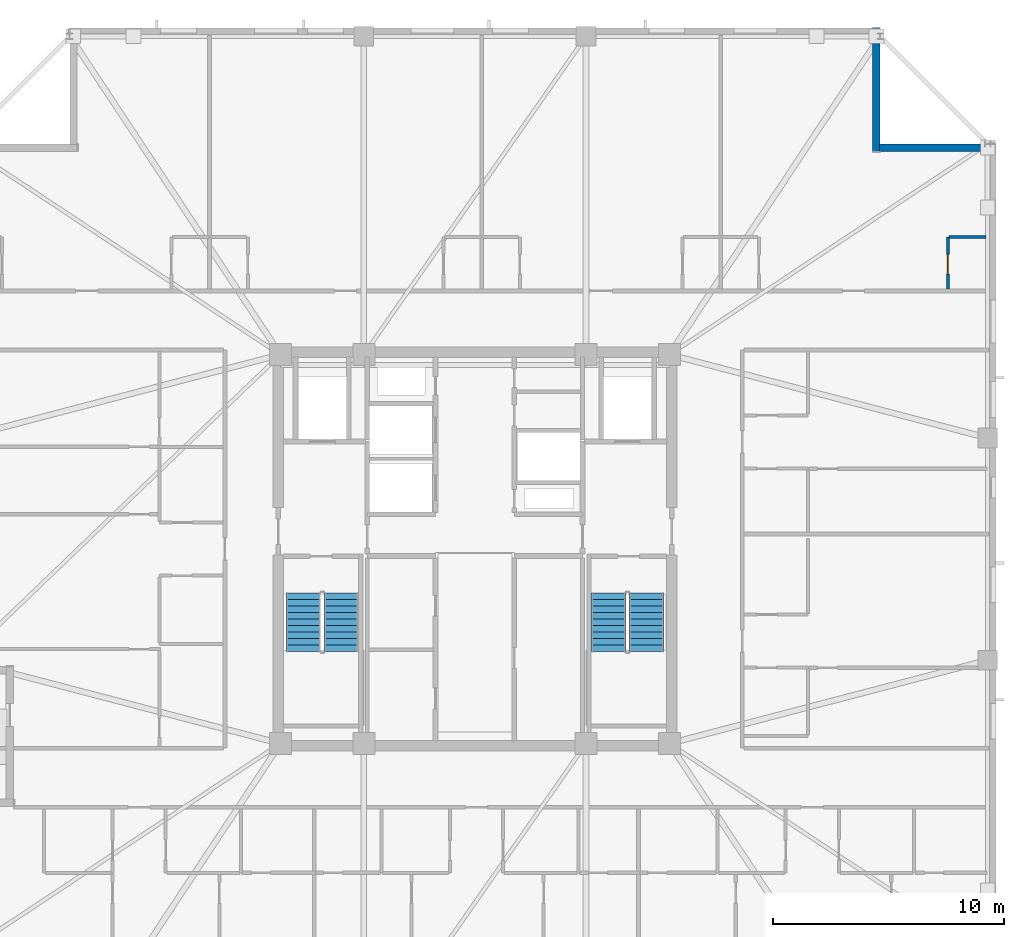
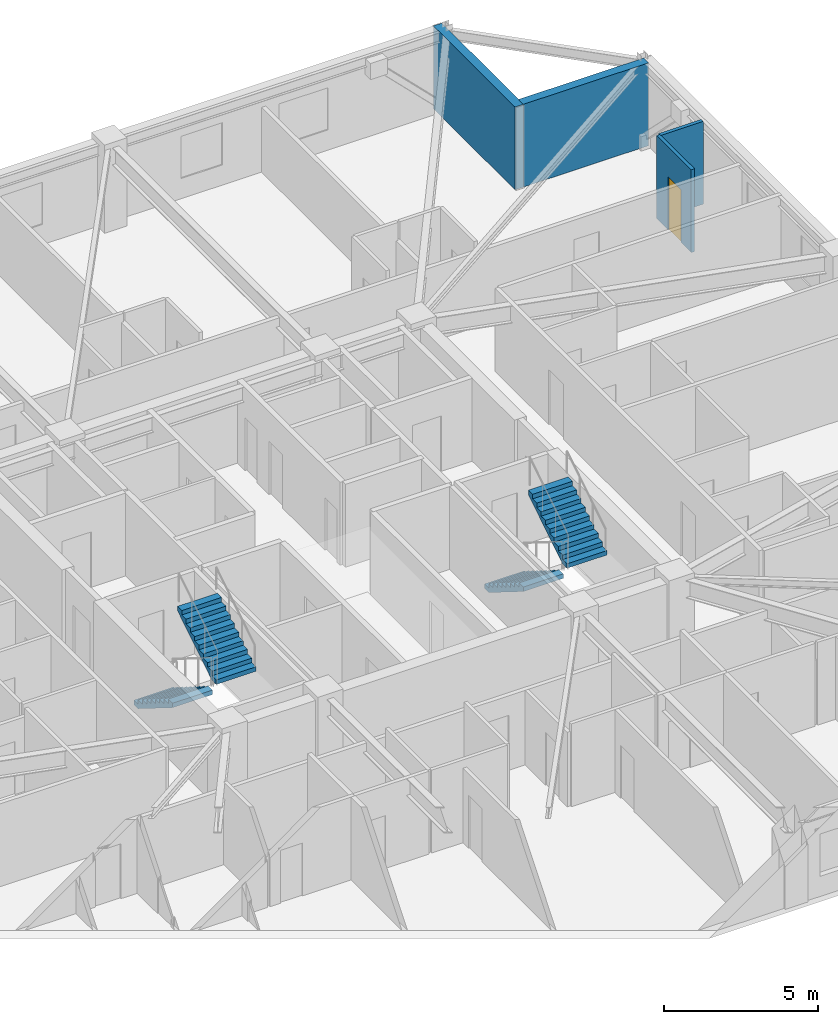
# One storey, part 12 of 16: 4 stair flights, 4 walls, 1 door, 1 opening, 2 elements without a shape of their own.
"""IFC4 building model written with IfcOpenShell, lengths in metres."""

from ifc_helpers import new_model, si_unit, direction, frame, frame_2d, origin, place, context, subcontext, project, spatial, polyline, rectangle, outline, extrude, material, layer, layer_set, type_object, element, fill, aggregate, save


model = new_model("IFC4")

# Units and contexts
model_context = context("Model", 3, precision=1e-05, world=origin(), true_north=direction((0.0, 1.0)))
body_context = subcontext(model_context, "Body", "Model", "MODEL_VIEW")
ifc_project = project(units=[si_unit("LENGTHUNIT", "METRE"), si_unit("AREAUNIT", "SQUARE_METRE"), si_unit("VOLUMEUNIT", "CUBIC_METRE"), si_unit("PLANEANGLEUNIT", "RADIAN"), si_unit("MASSUNIT", "GRAM", prefix="KILO")], contexts=[model_context])

# Site, building, storey
site_placement = place(None, origin())
site = spatial("IfcSite", under=ifc_project, at=site_placement, CompositionType="ELEMENT")
building_placement = place(site_placement, origin())
building = spatial("IfcBuilding", under=site, at=building_placement, Name="Cairnveth Concourse Tower", CompositionType="ELEMENT")
storey_placement = place(building_placement, frame((0.0, 0.0, 255.0)))
storey = spatial("IfcBuildingStorey", under=building, at=storey_placement, Name="L70", CompositionType="ELEMENT", Elevation=255.0)

# Wall, opening, door
ifc_material_1 = material(Name="Gypsum Plasterboard Partition", Category="gypsum")
ifc_layer_1 = layer(ifc_material_1, 0.1298828125)
ifc_layer_set_1 = layer_set([ifc_layer_1], Name="Gypsum Plasterboard Partition")
wall_type_1 = type_object("IfcWallType", Name="WET AREA PARTITION 140", PredefinedType="PLUMBINGWALL", material=ifc_layer_set_1)
wall_1_placement = place(storey_placement, frame((72.429931640625, 50.232421875, 0.0), z_axis=(0.0, 0.0, 1.0), x_axis=(0.0, 1.0, 0.0)))
wall_1 = element("IfcWall", 1, at=wall_1_placement, inside=storey, type_object=wall_type_1, Name="Interior Wall IW-L70-091", PredefinedType="PLUMBINGWALL", context=body_context, shape_type="SweptSolid", body=[
    extrude(rectangle(XDim=2.25, YDim=0.1298828125, at=frame_2d((1.125, 0.0))), origin(), (0.0, 0.0, 1.0), 3.2900390625),
])
opening_placement = place(wall_1_placement, frame((0.64990234375, 0.0, 0.0)))
opening = element("IfcOpeningElement", 2, at=opening_placement, cuts=wall_1, Name="Opening ID20", PredefinedType="OPENING", context=body_context, shape_type="SweptSolid", body=[
    extrude(rectangle(XDim=0.85009765625, YDim=2.10009765625, at=frame_2d((0.425048828125, 1.050048828125))), frame((0.0, 0.074951171875, 0.0), z_axis=(0.0, -1.0, 0.0), x_axis=(1.0, 0.0, 0.0)), (0.0, 0.0, 1.0), 0.14990234375),
])
ifc_material_2 = material(Name="Solid Core Hardwood Timber Leaf", Category="wood")
door_type = type_object("IfcDoorType", Name="INTERIOR SINGLE DOOR 850X2100", OperationType="NOTDEFINED", PredefinedType="DOOR", material=ifc_material_2)
door_placement = place(opening_placement, origin())
door = element("IfcDoor", 3, at=door_placement, inside=storey, type_object=door_type, Name="L70STN4 Kitchen Door", OperationType="SINGLE_SWING_RIGHT", OverallHeight=2.10009765625, OverallWidth=0.85009765625, PredefinedType="DOOR", context=body_context, shape_type="SweptSolid", body=[
    extrude(rectangle(XDim=0.85009765625, YDim=2.10009765625, at=frame_2d((0.425048828125, 1.050048828125))), frame((0.0, 0.02490234375, 0.0), z_axis=(0.0, -1.0, 0.0), x_axis=(1.0, 0.0, 0.0)), (0.0, 0.0, 1.0), 0.050048828125),
])
fill(opening, door)

# Walls
wall_2_placement = place(storey_placement, frame((72.47998046875, 52.482421875, 0.0), z_axis=(0.0, 0.0, 1.0), x_axis=(1.0, 0.0, 0.0)))
element("IfcWall", 4, at=wall_2_placement, inside=storey, type_object=wall_type_1, Name="Interior Wall IW-L70-092", PredefinedType="PLUMBINGWALL", context=body_context, shape_type="SweptSolid", body=[
    extrude(rectangle(XDim=1.60009765625, YDim=0.1298828125, at=frame_2d((0.800048828125, 0.0))), origin(), (0.0, 0.0, 1.0), 3.2900390625),
])
ifc_material_3 = material(Name="Melbourne Buff Fired Clay Brick Masonry", Category="masonry")
ifc_layer_2 = layer(ifc_material_3, 0.320068359375)
ifc_layer_set_2 = layer_set([ifc_layer_2], Name="Melbourne Buff Fired Clay Brick Masonry")
wall_type_2 = type_object("IfcWallType", Name="ZONE 3 BRICK PIER SPANDREL WALL 320", PredefinedType="SOLIDWALL", material=ifc_layer_set_2)
wall_3_placement = place(storey_placement, frame((69.340087890625, 61.5, 0.0), z_axis=(0.0, 0.0, 1.0), x_axis=(0.0, -1.0, 0.0)))
element("IfcWall", 5, at=wall_3_placement, inside=storey, type_object=wall_type_2, Name="Exterior Wall EW-L70-S04", PredefinedType="SOLIDWALL", context=body_context, shape_type="SweptSolid", body=[
    extrude(rectangle(XDim=5.320068359375, YDim=0.320068359375, at=frame_2d((2.66015625, 0.0))), origin(), (0.0, 0.0, 1.0), 3.2900390625),
])
wall_4_placement = place(storey_placement, frame((69.47802734375, 56.340087890625, 0.0), z_axis=(0.0, 0.0, 1.0), x_axis=(1.0, 0.0, 0.0)))
element("IfcWall", 6, at=wall_4_placement, inside=storey, type_object=wall_type_2, Name="Exterior Wall EW-L70-S05", PredefinedType="SOLIDWALL", context=body_context, shape_type="SweptSolid", body=[
    extrude(rectangle(XDim=4.723876953125, YDim=0.320068359375, at=frame_2d((2.36181640625, 0.0))), origin(), (0.0, 0.0, 1.0), 3.2900390625),
])

# Stair, stair flights
ifc_material_4 = material(Name="Precast concrete N50 (50 MPa)", Category="concrete")
stair_type = type_object("IfcStairType", Name="CORE DOG-LEG FIRE STAIR 1500", PredefinedType="HALF_TURN_STAIR", material=ifc_material_4)
stair_1_placement = place(storey_placement, origin())
stair_1 = element("IfcStair", 7, at=stair_1_placement, inside=storey, type_object=stair_type, Name="L70 Fire-Isolated Stair ST-1", PredefinedType="HALF_TURN_STAIR")
stair_flight_type = type_object("IfcStairFlightType", Name="PRECAST CONCRETE STAIR FLIGHT 1500", PredefinedType="STRAIGHT", material=ifc_material_4)
stair_flight_1_placement = place(storey_placement, frame((44.590087890625, 37.10009765625, 0.0), z_axis=(0.0, 0.0, 1.0), x_axis=(0.0, -1.0, 0.0)))
stair_flight_1 = element("IfcStairFlight", 8, at=stair_flight_1_placement, type_object=stair_flight_type, Name="ST-1 flight 1", NumberOfRisers=10, NumberOfTreads=9, PredefinedType="STRAIGHT", RiserHeight=0.175, TreadLength=0.28, context=body_context, shape_type="SweptSolid", body=[
    extrude(outline(polyline([(0.0, 0.0), (0.0, 0.175048828125), (0.280029296875, 0.175048828125), (0.280029296875, 0.35009765625), (0.56005859375, 0.35009765625), (0.56005859375, 0.52490234375), (0.840087890625, 0.52490234375), (0.840087890625, 0.699951171875), (1.1201171875, 0.699951171875), (1.1201171875, 0.875), (1.39990234375, 0.875), (1.39990234375, 1.050048828125), (1.679931640625, 1.050048828125), (1.679931640625, 1.22509765625), (1.9599609375, 1.22509765625), (1.9599609375, 1.39990234375), (2.239990234375, 1.39990234375), (2.239990234375, 1.574951171875), (2.52001953125, 1.574951171875), (2.52001953125, 1.75), (2.52001953125, 1.398193359375), (0.28271484375, 0.0), (0.0, 0.0)])), frame((0.0, 0.75, 0.0), z_axis=(0.0, -1.0, 0.0), x_axis=(1.0, 0.0, 0.0)), (0.0, 0.0, 1.0), 1.5),
])
stair_flight_2_placement = place(storey_placement, frame((46.22998046875, 34.580078125, 1.75), z_axis=(0.0, 0.0, 1.0), x_axis=(0.0, 1.0, 0.0)))
stair_flight_2 = element("IfcStairFlight", 9, at=stair_flight_2_placement, type_object=stair_flight_type, Name="ST-1 flight 2", NumberOfRisers=10, NumberOfTreads=9, PredefinedType="STRAIGHT", RiserHeight=0.175, TreadLength=0.28, context=body_context, shape_type="SweptSolid", body=[
    extrude(outline(polyline([(0.0, 0.0), (0.0, 0.175048828125), (0.280029296875, 0.175048828125), (0.280029296875, 0.35009765625), (0.56005859375, 0.35009765625), (0.56005859375, 0.52490234375), (0.840087890625, 0.52490234375), (0.840087890625, 0.699951171875), (1.1201171875, 0.699951171875), (1.1201171875, 0.875), (1.39990234375, 0.875), (1.39990234375, 1.050048828125), (1.679931640625, 1.050048828125), (1.679931640625, 1.22509765625), (1.9599609375, 1.22509765625), (1.9599609375, 1.39990234375), (2.239990234375, 1.39990234375), (2.239990234375, 1.574951171875), (2.52001953125, 1.574951171875), (2.52001953125, 1.75), (2.52001953125, 1.398193359375), (0.28271484375, 0.0), (0.0, 0.0)])), frame((0.0, 0.75, 0.0), z_axis=(0.0, -1.0, 0.0), x_axis=(1.0, 0.0, 0.0)), (0.0, 0.0, 1.0), 1.5),
])
aggregate(stair_1, [stair_flight_1, stair_flight_2])

stair_2_placement = place(storey_placement, origin())
stair_2 = element("IfcStair", 10, at=stair_2_placement, inside=storey, type_object=stair_type, Name="L70 Fire-Isolated Stair ST-2", PredefinedType="HALF_TURN_STAIR")
stair_flight_3_placement = place(storey_placement, frame((57.77001953125, 37.10009765625, 0.0), z_axis=(0.0, 0.0, 1.0), x_axis=(0.0, -1.0, 0.0)))
stair_flight_3 = element("IfcStairFlight", 11, at=stair_flight_3_placement, type_object=stair_flight_type, Name="ST-2 flight 1", NumberOfRisers=10, NumberOfTreads=9, PredefinedType="STRAIGHT", RiserHeight=0.175, TreadLength=0.28, context=body_context, shape_type="SweptSolid", body=[
    extrude(outline(polyline([(0.0, 0.0), (0.0, 0.175048828125), (0.280029296875, 0.175048828125), (0.280029296875, 0.35009765625), (0.56005859375, 0.35009765625), (0.56005859375, 0.52490234375), (0.840087890625, 0.52490234375), (0.840087890625, 0.699951171875), (1.1201171875, 0.699951171875), (1.1201171875, 0.875), (1.39990234375, 0.875), (1.39990234375, 1.050048828125), (1.679931640625, 1.050048828125), (1.679931640625, 1.22509765625), (1.9599609375, 1.22509765625), (1.9599609375, 1.39990234375), (2.239990234375, 1.39990234375), (2.239990234375, 1.574951171875), (2.52001953125, 1.574951171875), (2.52001953125, 1.75), (2.52001953125, 1.398193359375), (0.28271484375, 0.0), (0.0, 0.0)])), frame((0.0, 0.75, 0.0), z_axis=(0.0, -1.0, 0.0), x_axis=(1.0, 0.0, 0.0)), (0.0, 0.0, 1.0), 1.5),
])
stair_flight_4_placement = place(storey_placement, frame((59.409912109375, 34.580078125, 1.75), z_axis=(0.0, 0.0, 1.0), x_axis=(0.0, 1.0, 0.0)))
stair_flight_4 = element("IfcStairFlight", 12, at=stair_flight_4_placement, type_object=stair_flight_type, Name="ST-2 flight 2", NumberOfRisers=10, NumberOfTreads=9, PredefinedType="STRAIGHT", RiserHeight=0.175, TreadLength=0.28, context=body_context, shape_type="SweptSolid", body=[
    extrude(outline(polyline([(0.0, 0.0), (0.0, 0.175048828125), (0.280029296875, 0.175048828125), (0.280029296875, 0.35009765625), (0.56005859375, 0.35009765625), (0.56005859375, 0.52490234375), (0.840087890625, 0.52490234375), (0.840087890625, 0.699951171875), (1.1201171875, 0.699951171875), (1.1201171875, 0.875), (1.39990234375, 0.875), (1.39990234375, 1.050048828125), (1.679931640625, 1.050048828125), (1.679931640625, 1.22509765625), (1.9599609375, 1.22509765625), (1.9599609375, 1.39990234375), (2.239990234375, 1.39990234375), (2.239990234375, 1.574951171875), (2.52001953125, 1.574951171875), (2.52001953125, 1.75), (2.52001953125, 1.398193359375), (0.28271484375, 0.0), (0.0, 0.0)])), frame((0.0, 0.75, 0.0), z_axis=(0.0, -1.0, 0.0), x_axis=(1.0, 0.0, 0.0)), (0.0, 0.0, 1.0), 1.5),
])
aggregate(stair_2, [stair_flight_3, stair_flight_4])

save(model, "model.ifc")
